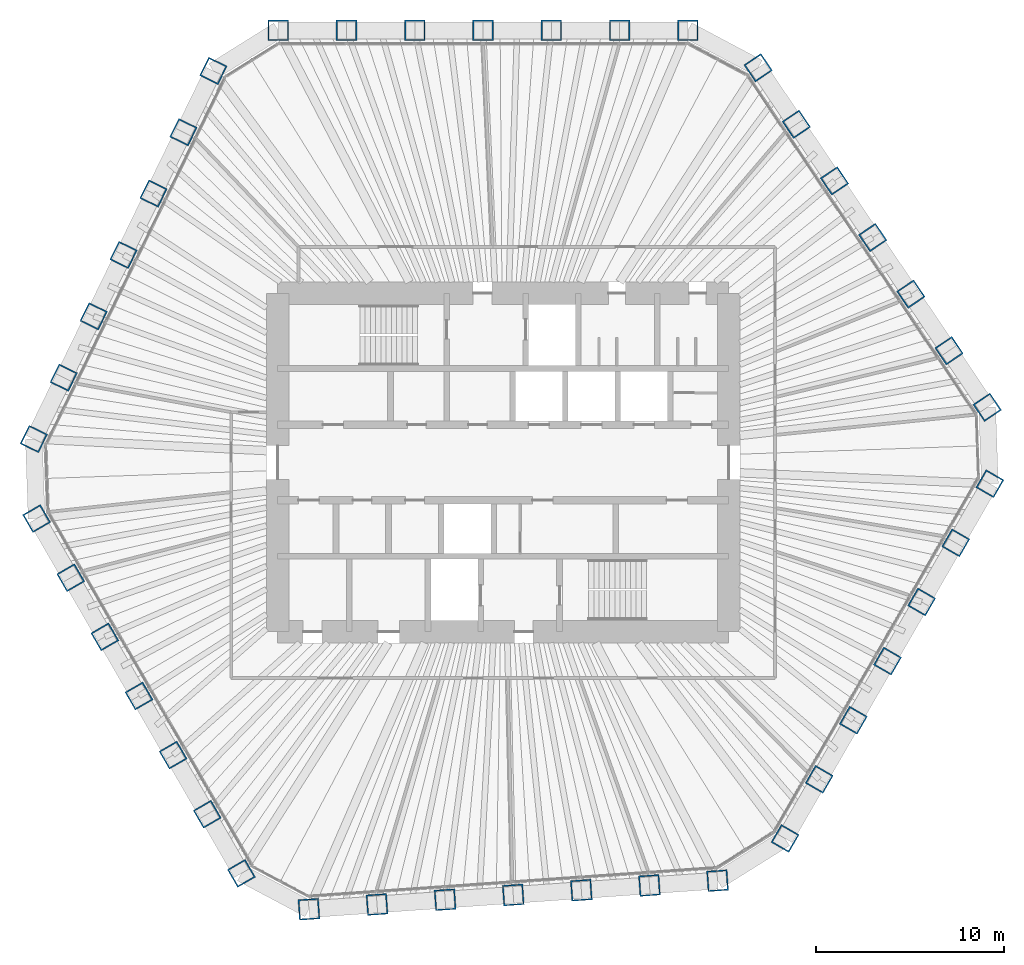
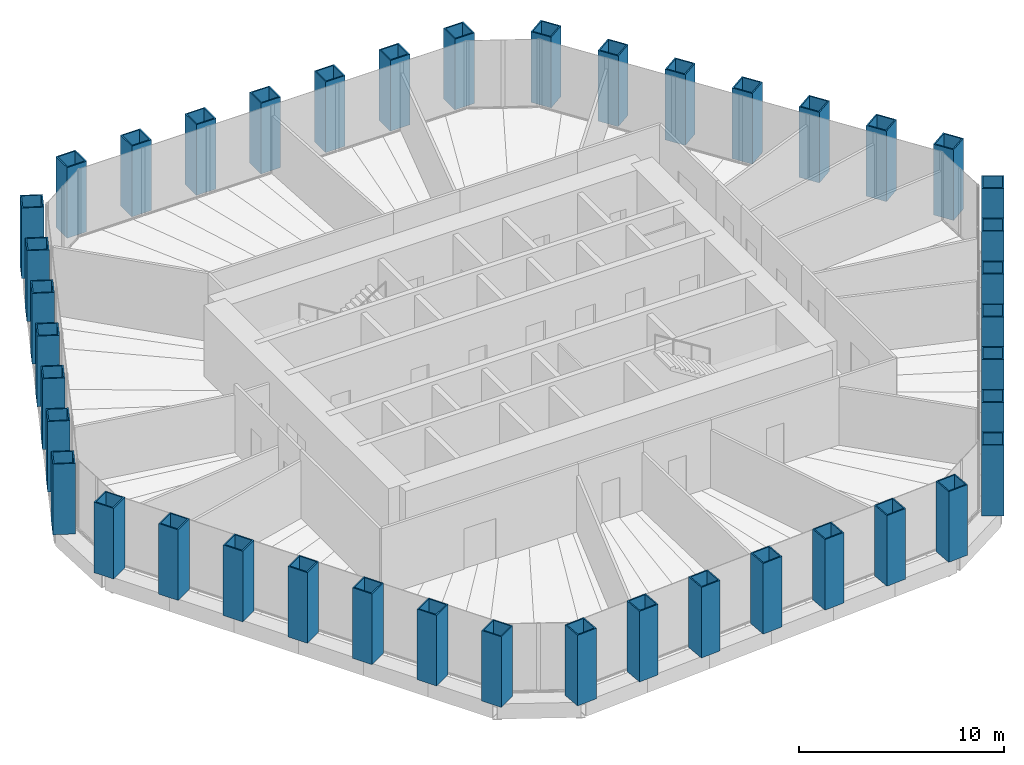
# One storey, part 1 of 13: 42 columns.
"""IFC4 building model written with IfcOpenShell, lengths in metres."""

from ifc_helpers import new_model, si_unit, direction, frame, origin, origin_2d, place, context, subcontext, project, spatial, hollow_rectangle, extrude, material, material_profile, profile_set, type_object, element, save


model = new_model("IFC4")

# Units and contexts
model_context = context("Model", 3, precision=1e-05, world=origin(), true_north=direction((0.0, 1.0)))
body_context = subcontext(model_context, "Body", "Model", "MODEL_VIEW")
ifc_project = project(units=[si_unit("LENGTHUNIT", "METRE"), si_unit("AREAUNIT", "SQUARE_METRE"), si_unit("VOLUMEUNIT", "CUBIC_METRE"), si_unit("PLANEANGLEUNIT", "RADIAN"), si_unit("MASSUNIT", "GRAM", prefix="KILO")], contexts=[model_context])

# Site, building, storey
site_placement = place(None, origin())
site = spatial("IfcSite", under=ifc_project, at=site_placement, CompositionType="ELEMENT")
building_placement = place(site_placement, origin())
building = spatial("IfcBuilding", under=site, at=building_placement, Name="Qingtian Harvest Tower", CompositionType="ELEMENT")
storey_placement = place(building_placement, frame((0.0, 0.0, 205.60009765625)))
storey = spatial("IfcBuildingStorey", under=building, at=storey_placement, Name="L44", CompositionType="ELEMENT", Elevation=205.60009765625)

# Columns
ifc_material = material(Name="Steel SM570MC", Category="steel")
ifc_material_profile = material_profile(ifc_material, hollow_rectangle(XDim=1.10009765625, YDim=1.10009765625, WallThickness=0.070068359375, at=origin_2d()), Name="BOX1100x1100x70")
ifc_profile_set = profile_set([ifc_material_profile], Name="Steel SM570MC")
column_type = type_object("IfcColumnType", Name="Tube column TC5 BOX1100x1100x70", PredefinedType="COLUMN", material=ifc_profile_set)
for number, where, z_axis, x_axis, name in (
    (1, (-11.971923828125, 23.0, 0.0), (0.0, 0.0, 1.0), (-1.0, 0.0, 0.0), "Tube column TC5 N0"),
    (2, (-8.33837890625, 23.0, 0.0), (0.0, 0.0, 1.0), (-1.0, 0.0, 0.0), "Tube column TC5 N1"),
    (3, (-4.704833984375, 23.0, 0.0), (0.0, 0.0, 1.0), (-1.0, 0.0, 0.0), "Tube column TC5 N2"),
    (4, (-1.0712890625, 23.0, 0.0), (0.0, 0.0, 1.0), (-1.0, 0.0, 0.0), "Tube column TC5 N3"),
    (5, (2.562255859375, 23.0, 0.0), (0.0, 0.0, 1.0), (-1.0, 0.0, 0.0), "Tube column TC5 N4"),
    (6, (6.19580078125, 23.0, 0.0), (0.0, 0.0, 1.0), (-1.0, 0.0, 0.0), "Tube column TC5 N5"),
    (7, (9.829345703125, 23.0, 0.0), (0.0, 0.0, 1.0), (-1.0, 0.0, 0.0), "Tube column TC5 N6"),
    (8, (13.5712890625, 21.01025390625, 0.0), (0.0, 0.0, 1.0), (-0.559192903471, 0.829037572555, 0.0), "Tube column TC5 NE0"),
    (9, (15.603271484375, 17.998046875, 0.0), (0.0, 0.0, 1.0), (-0.559192903471, 0.829037572555, 0.0), "Tube column TC5 NE1"),
    (10, (17.635009765625, 14.985595703125, 0.0), (0.0, 0.0, 1.0), (-0.559192903471, 0.829037572555, 0.0), "Tube column TC5 NE2"),
    (11, (19.6669921875, 11.97314453125, 0.0), (0.0, 0.0, 1.0), (-0.559192903471, 0.829037572555, 0.0), "Tube column TC5 NE3"),
    (12, (21.69873046875, 8.9609375, 0.0), (0.0, 0.0, 1.0), (-0.559192903471, 0.829037572555, 0.0), "Tube column TC5 NE4"),
    (13, (23.730712890625, 5.948486328125, 0.0), (0.0, 0.0, 1.0), (-0.559192903471, 0.829037572555, 0.0), "Tube column TC5 NE5"),
    (14, (25.762451171875, 2.936279296875, 0.0), (0.0, 0.0, 1.0), (-0.559192903471, 0.829037572555, 0.0), "Tube column TC5 NE6"),
    (15, (25.904541015625, -1.1318359375, 0.0), (0.0, 0.0, 1.0), (0.5, 0.866025403784, 0.0), "Tube column TC5 SE0"),
    (16, (24.087890625, -4.27880859375, 0.0), (0.0, 0.0, 1.0), (0.5, 0.866025403784, 0.0), "Tube column TC5 SE1"),
    (17, (22.27099609375, -7.425537109375, 0.0), (0.0, 0.0, 1.0), (0.5, 0.866025403784, 0.0), "Tube column TC5 SE2"),
    (18, (20.454345703125, -10.572265625, 0.0), (0.0, 0.0, 1.0), (0.5, 0.866025403784, 0.0), "Tube column TC5 SE3"),
    (19, (18.637451171875, -13.718994140625, 0.0), (0.0, 0.0, 1.0), (0.5, 0.866025403784, 0.0), "Tube column TC5 SE4"),
    (20, (16.82080078125, -16.86572265625, 0.0), (0.0, 0.0, 1.0), (0.5, 0.866025403784, 0.0), "Tube column TC5 SE5"),
    (21, (15.00390625, -20.012451171875, 0.0), (0.0, 0.0, 1.0), (0.5, 0.866025403784, 0.0), "Tube column TC5 SE6"),
    (22, (11.40966796875, -22.25830078125, 0.0), (0.0, 0.0, 1.0), (0.99756405026, 0.069756473744, 0.0), "Tube column TC5 S0"),
    (23, (7.78515625, -22.51171875, 0.0), (0.0, 0.0, 1.0), (0.99756405026, 0.069756473744, 0.0), "Tube column TC5 S1"),
    (24, (4.160400390625, -22.76513671875, 0.0), (0.0, 0.0, 1.0), (0.99756405026, 0.069756473744, 0.0), "Tube column TC5 S2"),
    (25, (0.53564453125, -23.018798828125, 0.0), (0.0, 0.0, 1.0), (0.99756405026, 0.069756473744, 0.0), "Tube column TC5 S3"),
    (26, (-3.089111328125, -23.272216796875, 0.0), (0.0, 0.0, 1.0), (0.99756405026, 0.069756473744, 0.0), "Tube column TC5 S4"),
    (27, (-6.713623046875, -23.525634765625, 0.0), (0.0, 0.0, 1.0), (0.99756405026, 0.069756473744, 0.0), "Tube column TC5 S5"),
    (28, (-10.33837890625, -23.779052734375, 0.0), (0.0, 0.0, 1.0), (0.99756405026, 0.069756473744, 0.0), "Tube column TC5 S6"),
    (29, (-13.9326171875, -21.8681640625, 0.0), (0.0, 0.0, 1.0), (0.5, -0.866025403784, 0.0), "Tube column TC5 SW0"),
    (30, (-15.749267578125, -18.72119140625, 0.0), (0.0, 0.0, 1.0), (0.5, -0.866025403784, 0.0), "Tube column TC5 SW1"),
    (31, (-17.566162109375, -15.574462890625, 0.0), (0.0, 0.0, 1.0), (0.5, -0.866025403784, 0.0), "Tube column TC5 SW2"),
    (32, (-19.3828125, -12.427734375, 0.0), (0.0, 0.0, 1.0), (0.5, -0.866025403784, 0.0), "Tube column TC5 SW3"),
    (33, (-21.19970703125, -9.281005859375, 0.0), (0.0, 0.0, 1.0), (0.5, -0.866025403784, 0.0), "Tube column TC5 SW4"),
    (34, (-23.016357421875, -6.13427734375, 0.0), (0.0, 0.0, 1.0), (0.5, -0.866025403784, 0.0), "Tube column TC5 SW5"),
    (35, (-24.833251953125, -2.987548828125, 0.0), (0.0, 0.0, 1.0), (0.5, -0.866025403784, 0.0), "Tube column TC5 SW6"),
    (36, (-24.981201171875, 1.248046875, 0.0), (0.0, 0.0, 1.0), (-0.438371146789, -0.898794046299, 0.0), "Tube column TC5 NW0"),
    (37, (-23.388427734375, 4.513916015625, 0.0), (0.0, 0.0, 1.0), (-0.438371146789, -0.898794046299, 0.0), "Tube column TC5 NW1"),
    (38, (-21.79541015625, 7.779541015625, 0.0), (0.0, 0.0, 1.0), (-0.438371146789, -0.898794046299, 0.0), "Tube column TC5 NW2"),
    (39, (-20.20263671875, 11.04541015625, 0.0), (0.0, 0.0, 1.0), (-0.438371146789, -0.898794046299, 0.0), "Tube column TC5 NW3"),
    (40, (-18.60986328125, 14.311279296875, 0.0), (0.0, 0.0, 1.0), (-0.438371146789, -0.898794046299, 0.0), "Tube column TC5 NW4"),
    (41, (-17.016845703125, 17.5771484375, 0.0), (0.0, 0.0, 1.0), (-0.438371146789, -0.898794046299, 0.0), "Tube column TC5 NW5"),
    (42, (-15.424072265625, 20.8427734375, 0.0), (0.0, 0.0, 1.0), (-0.438371146789, -0.898794046299, 0.0), "Tube column TC5 NW6"),
):
    element("IfcColumn", number, at=place(storey_placement, frame(where, z_axis=z_axis, x_axis=x_axis)), inside=storey, type_object=column_type, Name=name, PredefinedType="COLUMN", context=body_context, shape_type="SweptSolid", body=[
        extrude(hollow_rectangle(XDim=1.10009765625, YDim=1.10009765625, WallThickness=0.070068359375, at=origin_2d()), origin(), (0.0, 0.0, 1.0), 4.199951171875),
    ])

save(model, "model.ifc")
